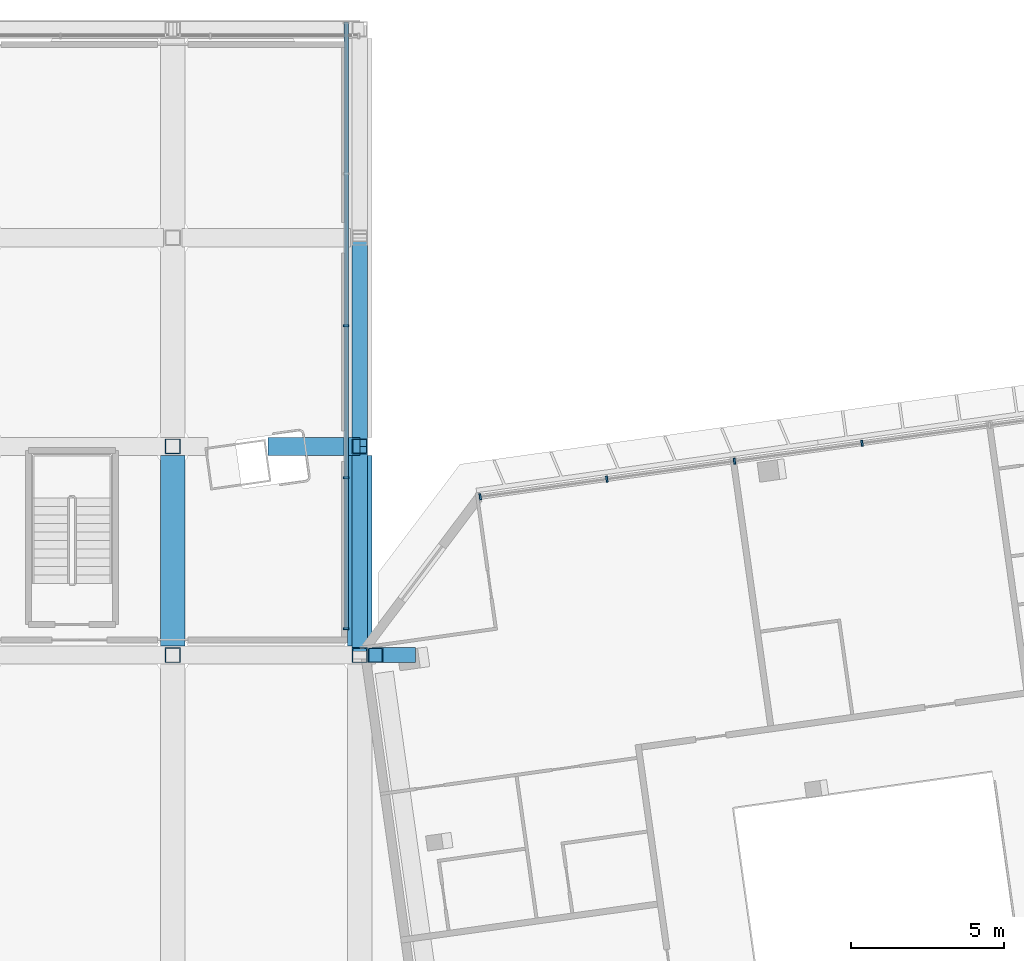
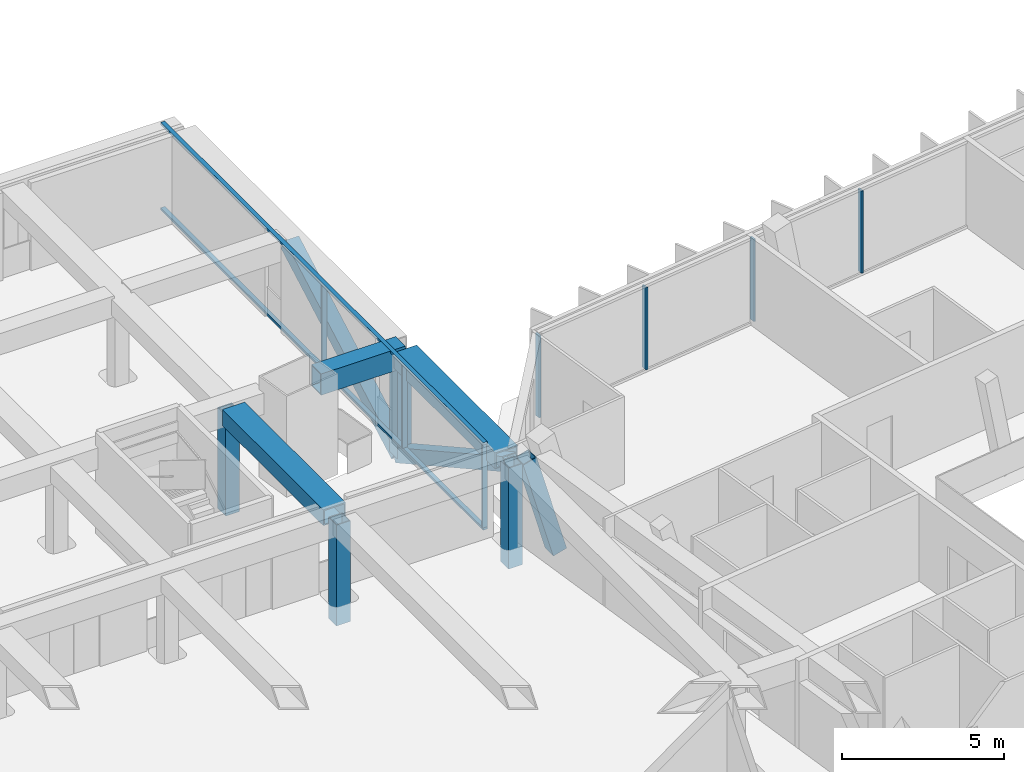
# One storey, part 9 of 25: 19 members, 2 elements without a shape of their own.
"""IFC4 building model written with IfcOpenShell, lengths in metres."""

from ifc_helpers import new_model, si_unit, direction, frame, origin, origin_2d, place, context, subcontext, project, spatial, rectangle, hollow_rectangle, extrude, material, material_profile, profile_set, type_object, element, aggregate, save


model = new_model("IFC4")

# Units and contexts
model_context = context("Model", 3, precision=1e-05, world=origin(), true_north=direction((0.0, 1.0)))
body_context = subcontext(model_context, "Body", "Model", "MODEL_VIEW")
ifc_project = project(units=[si_unit("LENGTHUNIT", "METRE"), si_unit("AREAUNIT", "SQUARE_METRE"), si_unit("VOLUMEUNIT", "CUBIC_METRE"), si_unit("PLANEANGLEUNIT", "RADIAN"), si_unit("MASSUNIT", "GRAM", prefix="KILO")], contexts=[model_context])

# Site, building, storey
site_placement = place(None, origin())
site = spatial("IfcSite", under=ifc_project, at=site_placement, CompositionType="ELEMENT")
building_placement = place(site_placement, origin())
building = spatial("IfcBuilding", under=site, at=building_placement, Name="Mirante Cascada Hotel Towers", CompositionType="ELEMENT")
storey_placement = place(building_placement, frame((0.0, 0.0, 266.0)))
storey = spatial("IfcBuildingStorey", under=building, at=storey_placement, Name="L64", CompositionType="ELEMENT", Elevation=266.0)

# Members
ifc_material_1 = material(Name="Steel ASTM A572 Gr 50", Category="steel")
ifc_material_profile_1 = material_profile(ifc_material_1, hollow_rectangle(XDim=0.6, YDim=0.8, WallThickness=0.04, at=origin_2d()), Name="Box chord 800x600x40 ASTM A572 Gr 50")
ifc_profile_set_1 = profile_set([ifc_material_profile_1], Name="Steel ASTM A572 Gr 50")
member_type_1 = type_object("IfcMemberType", Name="Box chord 800x600x40 ASTM A572 Gr 50", PredefinedType="CHORD", material=ifc_profile_set_1)
for number, where, z_axis, x_axis, name in (
    (1, (6.1257, 10.2142, 2.9), (0.0, 1.0, 0.0), (0.0, 0.0, 1.0), "dchord sky park Roof garden 15"),
    (2, (12.2514, 10.2142, 2.9), (0.0, 1.0, 0.0), (0.0, 0.0, 1.0), "dchord sky park Roof garden 19"),
):
    element("IfcMember", number, at=place(storey_placement, frame(where, z_axis=z_axis, x_axis=x_axis)), inside=storey, type_object=member_type_1, Name=name, PredefinedType="CHORD", context=body_context, shape_type="SweptSolid", body=[
        extrude(hollow_rectangle(XDim=0.6, YDim=0.8, WallThickness=0.04, at=origin_2d()), origin(), (0.0, 0.0, 1.0), 6.2333),
    ])
member_1_placement = place(storey_placement, frame((9.25, 16.7475, 2.9), z_axis=(1.0, 0.0, 0.0), x_axis=(0.0, 1.0, 0.0)))
element("IfcMember", 3, at=member_1_placement, inside=storey, type_object=member_type_1, Name="dchord sky park Roof garden 31", PredefinedType="CHORD", context=body_context, shape_type="SweptSolid", body=[
    extrude(hollow_rectangle(XDim=0.6, YDim=0.8, WallThickness=0.04, at=origin_2d()), origin(), (0.0, 0.0, 1.0), 3.0014),
])
ifc_material_2 = material(Name="Steel ASTM A572 Gr 50", Category="steel")
ifc_material_profile_2 = material_profile(ifc_material_2, hollow_rectangle(XDim=0.5, YDim=0.5, WallThickness=0.03, at=origin_2d()), Name="Box diagonal 500x500x30 ASTM A572 Gr 50")
ifc_profile_set_2 = profile_set([ifc_material_profile_2], Name="Steel ASTM A572 Gr 50")
member_type_2 = type_object("IfcMemberType", Name="Box diagonal 500x500x30 ASTM A572 Gr 50", PredefinedType="BRACE", material=ifc_profile_set_2)
for number, where, z_axis, x_axis, name in (
    (4, (12.2514, 16.7475, -0.9), (0.0, -0.8739551, 0.4860067), (1.0, 0.0, 0.0), "ddiag sky park L64 8"),
    (5, (12.2514, 16.7475, -0.9), (0.0, 0.8739551, 0.4860067), (-1.0, 0.0, 0.0), "ddiag sky park L64 9"),
):
    element("IfcMember", number, at=place(storey_placement, frame(where, z_axis=z_axis, x_axis=x_axis)), inside=storey, type_object=member_type_2, Name=name, PredefinedType="BRACE", context=body_context, shape_type="SweptSolid", body=[
        extrude(hollow_rectangle(XDim=0.5, YDim=0.5, WallThickness=0.03, at=origin_2d()), origin(), (0.0, 0.0, 1.0), 7.8188),
    ])
ifc_material_3 = material(Name="Steel ASTM A572 Gr 50", Category="steel")
ifc_material_profile_3 = material_profile(ifc_material_3, hollow_rectangle(XDim=0.5, YDim=0.5, WallThickness=0.03, at=origin_2d()), Name="Box post 500x500x30 ASTM A572 Gr 50")
ifc_profile_set_3 = profile_set([ifc_material_profile_3], Name="Steel ASTM A572 Gr 50")
member_type_3 = type_object("IfcMemberType", Name="Box post 500x500x30 ASTM A572 Gr 50", PredefinedType="POST", material=ifc_profile_set_3)
for number, where, z_axis, x_axis, name in (
    (6, (6.1257, 9.9142, -0.9), (0.0, 0.0, 1.0), (1.0, 0.0, 0.0), "dpost sky park L64 25"),
    (7, (6.1257, 16.7475, -0.9), (0.0, 0.0, 1.0), (1.0, 0.0, 0.0), "dpost sky park L64 26"),
    (8, (12.2514, 9.9142, -0.9), (0.0, 0.0, 1.0), (1.0, 0.0, 0.0), "dpost sky park L64 32"),
    (9, (12.2514, 16.7475, -0.9), (0.0, 0.0, 1.0), (1.0, 0.0, 0.0), "dpost sky park L64 33"),
):
    element("IfcMember", number, at=place(storey_placement, frame(where, z_axis=z_axis, x_axis=x_axis)), inside=storey, type_object=member_type_3, Name=name, PredefinedType="POST", context=body_context, shape_type="SweptSolid", body=[
        extrude(hollow_rectangle(XDim=0.5, YDim=0.5, WallThickness=0.03, at=origin_2d()), origin(), (0.0, 0.0, 1.0), 3.8),
    ])
member_2_placement = place(storey_placement, frame((13.8421, 9.9142, -0.9), z_axis=(-0.2719774, 0.0, 0.9623036), x_axis=(0.0, -1.0, 0.0)))
element("IfcMember", 10, at=member_2_placement, inside=storey, type_object=member_type_3, Name="dpost sky park L64 41", PredefinedType="POST", context=body_context, shape_type="SweptSolid", body=[
    extrude(hollow_rectangle(XDim=0.5, YDim=0.5, WallThickness=0.03, at=origin_2d()), origin(), (0.0, 0.0, 1.0), 3.9489),
])

# Curtain wall, members
ifc_material_4 = material(Name="Aluminium mullion and transom frame with clear laminated glass", Category="aluminium")
curtain_wall_type_1 = type_object("IfcCurtainWallType", Name="Ribbon curtain wall ECW1", PredefinedType="NOTDEFINED", material=ifc_material_4)
curtain_wall_1_placement = place(storey_placement, origin())
curtain_wall_1 = element("IfcCurtainWall", 11, at=curtain_wall_1_placement, inside=storey, type_object=curtain_wall_type_1, Name="Front ribbon wall T2 L64", PredefinedType="NOTDEFINED")
ifc_material_5 = material(Name="Anodised aluminium extrusion", Category="aluminium")
ifc_material_profile_4 = material_profile(ifc_material_5, rectangle(XDim=0.2, YDim=0.065, at=origin_2d()), Name="ECW1 MULLION 65x200")
ifc_profile_set_4 = profile_set([ifc_material_profile_4], Name="Anodised aluminium extrusion")
member_type_4 = type_object("IfcMemberType", Name="ECW1 mullion 65x200", PredefinedType="MULLION", material=ifc_profile_set_4)
member_3_placement = place(storey_placement, frame((28.7008, 16.8527, 0.1), z_axis=(0.0, 0.0, 1.0), x_axis=(0.1391731, -0.9902681, 0.0)))
member_3 = element("IfcMember", 12, at=member_3_placement, type_object=member_type_4, Name="ECW1 mullion 6", PredefinedType="MULLION", context=body_context, shape_type="SweptSolid", body=[
    extrude(rectangle(XDim=0.2, YDim=0.065, at=origin_2d()), origin(), (0.0, 0.0, 1.0), 3.1),
])
member_4_placement = place(storey_placement, frame((24.5218, 16.2653, 0.1), z_axis=(0.0, 0.0, 1.0), x_axis=(0.1391731, -0.9902681, 0.0)))
member_4 = element("IfcMember", 13, at=member_4_placement, type_object=member_type_4, Name="ECW1 mullion 7", PredefinedType="MULLION", context=body_context, shape_type="SweptSolid", body=[
    extrude(rectangle(XDim=0.2, YDim=0.065, at=origin_2d()), origin(), (0.0, 0.0, 1.0), 3.1),
])
member_5_placement = place(storey_placement, frame((20.3427, 15.678, 0.1), z_axis=(0.0, 0.0, 1.0), x_axis=(0.1391731, -0.9902681, 0.0)))
member_5 = element("IfcMember", 14, at=member_5_placement, type_object=member_type_4, Name="ECW1 mullion 8", PredefinedType="MULLION", context=body_context, shape_type="SweptSolid", body=[
    extrude(rectangle(XDim=0.2, YDim=0.065, at=origin_2d()), origin(), (0.0, 0.0, 1.0), 3.1),
])
member_6_placement = place(storey_placement, frame((16.1959, 15.0952, 0.1), z_axis=(0.0, 0.0, 1.0), x_axis=(0.1391731, -0.9902681, 0.0)))
member_6 = element("IfcMember", 15, at=member_6_placement, type_object=member_type_4, Name="ECW1 mullion 9", PredefinedType="MULLION", context=body_context, shape_type="SweptSolid", body=[
    extrude(rectangle(XDim=0.2, YDim=0.065, at=origin_2d()), origin(), (0.0, 0.0, 1.0), 3.1),
])
aggregate(curtain_wall_1, [member_3, member_4, member_5, member_6])

ifc_material_6 = material(Name="Aluminium mullion and transom frame with clear laminated glass", Category="aluminium")
curtain_wall_type_2 = type_object("IfcCurtainWallType", Name="Sky park deck curtain wall ECW5", PredefinedType="NOTDEFINED", material=ifc_material_6)
curtain_wall_2_placement = place(storey_placement, origin())
curtain_wall_2 = element("IfcCurtainWall", 16, at=curtain_wall_2_placement, inside=storey, type_object=curtain_wall_type_2, Name="Sky park glazing L64 run 3", PredefinedType="NOTDEFINED")
ifc_material_7 = material(Name="Anodised aluminium extrusion", Category="aluminium")
ifc_material_profile_5 = material_profile(ifc_material_7, rectangle(XDim=0.18, YDim=0.06, at=origin_2d()), Name="ECW5 MULLION 60x180")
ifc_profile_set_5 = profile_set([ifc_material_profile_5], Name="Anodised aluminium extrusion")
member_type_5 = type_object("IfcMemberType", Name="ECW5 mullion 60x180", PredefinedType="MULLION", material=ifc_profile_set_5)
member_7_placement = place(storey_placement, frame((11.8014, 10.7781, 0.09), z_axis=(0.0, 0.0, 1.0), x_axis=(-1.0, 0.0, 0.0)))
member_7 = element("IfcMember", 17, at=member_7_placement, type_object=member_type_5, Name="ECW5 mullion 1", PredefinedType="MULLION", context=body_context, shape_type="SweptSolid", body=[
    extrude(rectangle(XDim=0.18, YDim=0.06, at=origin_2d()), origin(), (0.0, 0.0, 1.0), 3.12),
])
member_8_placement = place(storey_placement, frame((11.8014, 15.7231, 0.09), z_axis=(0.0, 0.0, 1.0), x_axis=(-1.0, 0.0, 0.0)))
member_8 = element("IfcMember", 18, at=member_8_placement, type_object=member_type_5, Name="ECW5 mullion 2", PredefinedType="MULLION", context=body_context, shape_type="SweptSolid", body=[
    extrude(rectangle(XDim=0.18, YDim=0.06, at=origin_2d()), origin(), (0.0, 0.0, 1.0), 3.12),
])
member_9_placement = place(storey_placement, frame((11.8014, 20.6981, 0.09), z_axis=(0.0, 0.0, 1.0), x_axis=(-1.0, 0.0, 0.0)))
member_9 = element("IfcMember", 19, at=member_9_placement, type_object=member_type_5, Name="ECW5 mullion 3", PredefinedType="MULLION", context=body_context, shape_type="SweptSolid", body=[
    extrude(rectangle(XDim=0.18, YDim=0.06, at=origin_2d()), origin(), (0.0, 0.0, 1.0), 3.12),
])
ifc_material_8 = material(Name="Anodised aluminium extrusion", Category="aluminium")
ifc_material_profile_6 = material_profile(ifc_material_8, rectangle(XDim=0.15, YDim=0.09, at=origin_2d()), Name="ECW5 TRANSOM 90x150")
ifc_profile_set_6 = profile_set([ifc_material_profile_6], Name="Anodised aluminium extrusion")
member_type_6 = type_object("IfcMemberType", Name="ECW5 transom 90x150", PredefinedType="USERDEFINED", material=ifc_profile_set_6)
member_10_placement = place(storey_placement, frame((11.8014, 10.7481, 0.045), z_axis=(0.0, 1.0, 0.0), x_axis=(-1.0, 0.0, 0.0)))
member_10 = element("IfcMember", 20, at=member_10_placement, type_object=member_type_6, Name="ECW5 sill transom", ObjectType="TRANSOM", PredefinedType="USERDEFINED", context=body_context, shape_type="SweptSolid", body=[
    extrude(rectangle(XDim=0.15, YDim=0.09, at=origin_2d()), origin(), (0.0, 0.0, 1.0), 19.9),
])
member_11_placement = place(storey_placement, frame((11.8014, 10.7481, 3.255), z_axis=(0.0, 1.0, 0.0), x_axis=(-1.0, 0.0, 0.0)))
member_11 = element("IfcMember", 21, at=member_11_placement, type_object=member_type_6, Name="ECW5 head transom", ObjectType="TRANSOM", PredefinedType="USERDEFINED", context=body_context, shape_type="SweptSolid", body=[
    extrude(rectangle(XDim=0.15, YDim=0.09, at=origin_2d()), origin(), (0.0, 0.0, 1.0), 19.9),
])
aggregate(curtain_wall_2, [member_10, member_11, member_7, member_8, member_9])

save(model, "model.ifc")
